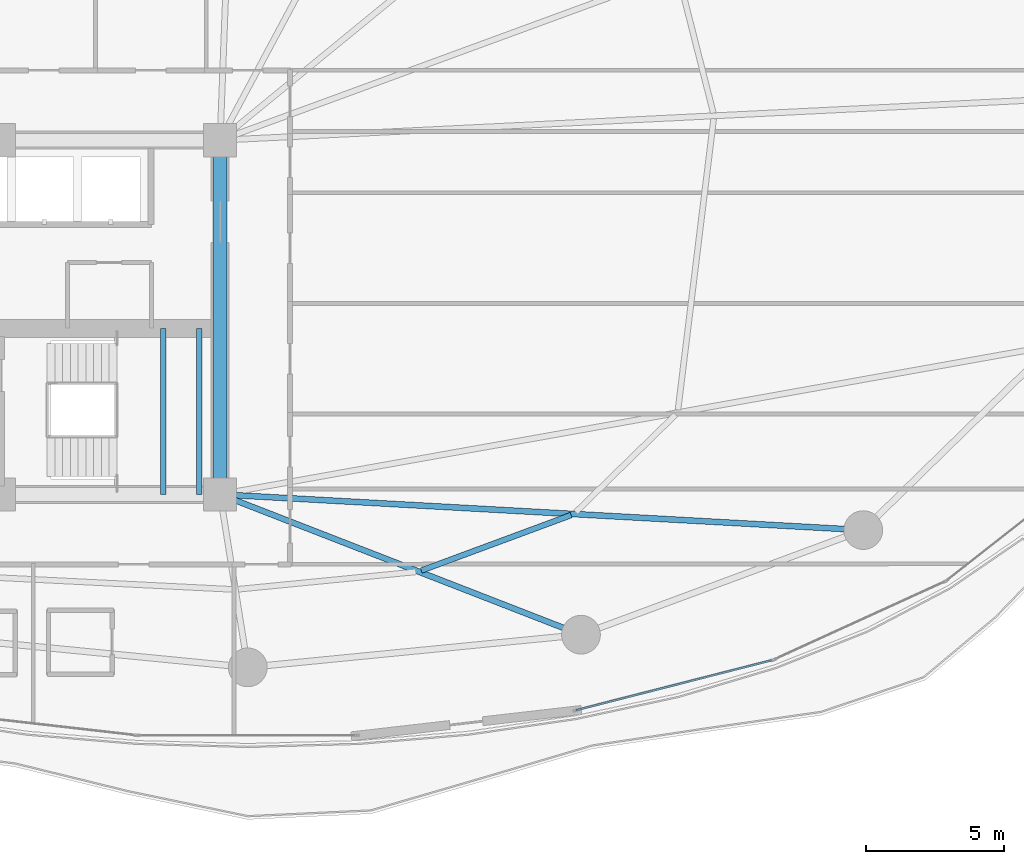
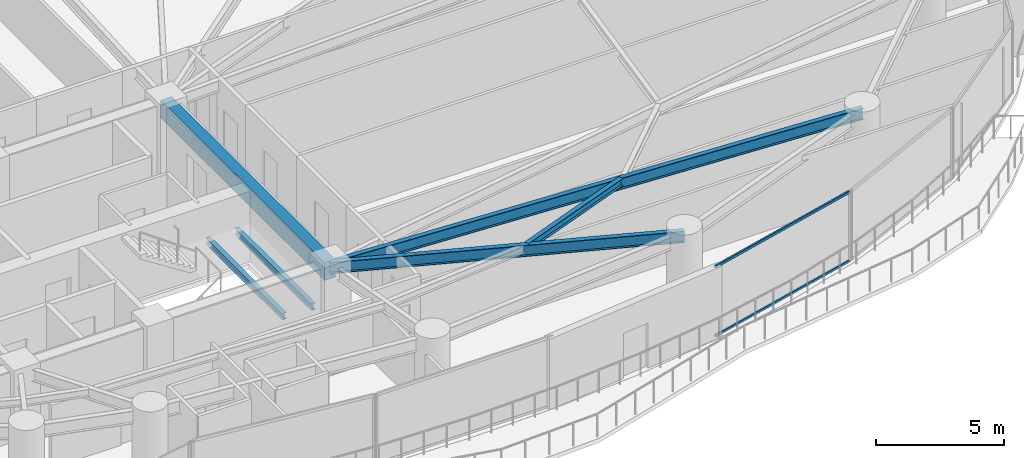
# One storey, part 12 of 32: 6 beams, 2 members, 1 element without a shape of its own.
"""IFC4 building model written with IfcOpenShell, lengths in metres."""

from ifc_helpers import new_model, si_unit, direction, frame, origin, origin_2d, place, context, subcontext, project, spatial, rectangle, hollow_rectangle, i_section, extrude, material, layer, layer_set, material_profile, profile_set, type_object, element, aggregate, save


model = new_model("IFC4")

# Units and contexts
model_context = context("Model", 3, precision=1e-05, world=origin(), true_north=direction((0.0, 1.0)))
body_context = subcontext(model_context, "Body", "Model", "MODEL_VIEW")
ifc_project = project(units=[si_unit("LENGTHUNIT", "METRE"), si_unit("AREAUNIT", "SQUARE_METRE"), si_unit("VOLUMEUNIT", "CUBIC_METRE"), si_unit("PLANEANGLEUNIT", "RADIAN"), si_unit("MASSUNIT", "GRAM", prefix="KILO")], contexts=[model_context])

# Site, building, storey
site_placement = place(None, origin())
site = spatial("IfcSite", under=ifc_project, at=site_placement, CompositionType="ELEMENT")
building_placement = place(site_placement, origin())
building = spatial("IfcBuilding", under=site, at=building_placement, Name="Kazevale Care Tower and Concert Hall", CompositionType="ELEMENT")
storey_placement = place(building_placement, frame((0.0, 0.0, 34.800048828125)))
storey = spatial("IfcBuildingStorey", under=building, at=storey_placement, Name="L08", CompositionType="ELEMENT", Elevation=34.800048828125)

# Curtain wall, members
ifc_material_1 = material(Name="Aluminium 6063-T6 and Low-E Glass", Category="aluminium")
ifc_layer = layer(ifc_material_1, 0.179931640625)
ifc_layer_set = layer_set([ifc_layer], Name="Aluminium 6063-T6 and Low-E Glass")
curtain_wall_type = type_object("IfcCurtainWallType", Name="Sheltered Concave Balcony Curtain Wall CW-5", PredefinedType="NOTDEFINED", material=ifc_layer_set)
curtain_wall_placement = place(storey_placement, origin())
curtain_wall = element("IfcCurtainWall", 1, at=curtain_wall_placement, inside=storey, type_object=curtain_wall_type, Name="cw:L08:f04", PredefinedType="NOTDEFINED")
ifc_material_2 = material(Name="Aluminium 6063-T6", Category="aluminium")
ifc_material_profile_1 = material_profile(ifc_material_2, hollow_rectangle(XDim=0.074951171875, YDim=0.1201171875, WallThickness=0.00390625, at=origin_2d()), Name="ALU75x120x4")
ifc_profile_set_1 = profile_set([ifc_material_profile_1], Name="Aluminium 6063-T6")
member_type = type_object("IfcMemberType", Name="CW-5 Transom ALU75x120x4", PredefinedType="USERDEFINED", material=ifc_profile_set_1)
member_1_placement = place(storey_placement, frame((63.915283203125, 17.599365234375, 0.037353515625), z_axis=(-0.968960816419, -0.24721435283, 0.0), x_axis=(0.24721435283, -0.968960816419, 0.0)))
member_1 = element("IfcMember", 2, at=member_1_placement, type_object=member_type, Name="CW-5 transom 1.1", ObjectType="TRANSOM", PredefinedType="USERDEFINED", context=body_context, shape_type="SweptSolid", body=[
    extrude(hollow_rectangle(XDim=0.074951171875, YDim=0.1201171875, WallThickness=0.00390625, at=origin_2d()), origin(), (0.0, 0.0, 1.0), 7.2763671875),
])
member_2_placement = place(storey_placement, frame((63.915283203125, 17.599365234375, 3.322509765625), z_axis=(-0.968960816419, -0.24721435283, 0.0), x_axis=(0.24721435283, -0.968960816419, 0.0)))
member_2 = element("IfcMember", 3, at=member_2_placement, type_object=member_type, Name="CW-5 transom 1.2", ObjectType="TRANSOM", PredefinedType="USERDEFINED", context=body_context, shape_type="SweptSolid", body=[
    extrude(hollow_rectangle(XDim=0.074951171875, YDim=0.1201171875, WallThickness=0.00390625, at=origin_2d()), origin(), (0.0, 0.0, 1.0), 7.2763671875),
])
aggregate(curtain_wall, [member_1, member_2])

# Beams
ifc_material_3 = material(Name="Concrete C60", Category="concrete")
ifc_material_profile_2 = material_profile(ifc_material_3, rectangle(XDim=0.5, YDim=0.85009765625, at=origin_2d()), Name="RC-B500x850")
ifc_profile_set_2 = profile_set([ifc_material_profile_2], Name="Concrete C60")
beam_type_1 = type_object("IfcBeamType", Name="Core Coupling Beam RC500x850", PredefinedType="LINTEL", material=ifc_profile_set_2)
beam_1_placement = place(storey_placement, frame((44.0, 23.60009765625, 2.93505859375), z_axis=(0.0, 1.0, 0.0), x_axis=(-1.0, 0.0, 0.0)))
element("IfcBeam", 4, at=beam_1_placement, inside=storey, type_object=beam_type_1, Name="beam:L08:coretie:4", PredefinedType="LINTEL", context=body_context, shape_type="SweptSolid", body=[
    extrude(rectangle(XDim=0.5, YDim=0.85009765625, at=origin_2d()), origin(), (0.0, 0.0, 1.0), 12.7998046875),
])
ifc_material_4 = material(Name="Steel ASTM A572 Gr 50", Category="steel")
ifc_material_profile_3 = material_profile(ifc_material_4, i_section(OverallWidth=0.2119140625, OverallDepth=0.5439453125, WebThickness=0.01318359375, FlangeThickness=0.021240234375, at=origin_2d()), Name="W530x123")
ifc_profile_set_3 = profile_set([ifc_material_profile_3], Name="Steel ASTM A572 Gr 50")
beam_type_2 = type_object("IfcBeamType", Name="Radial Floor Girder W530x123", PredefinedType="BEAM", material=ifc_profile_set_3)
beam_2_placement = place(storey_placement, frame((44.0, 23.60009765625, 3.087890625), z_axis=(0.932030212407, -0.362380577792, 0.0), x_axis=(0.362380577792, 0.932030212407, 0.0)))
element("IfcBeam", 5, at=beam_2_placement, inside=storey, type_object=beam_type_2, Name="beam:L08:rad:14", PredefinedType="BEAM", context=body_context, shape_type="SweptSolid", body=[
    extrude(i_section(OverallWidth=0.2119140625, OverallDepth=0.5439453125, WebThickness=0.01318359375, FlangeThickness=0.021240234375, at=origin_2d()), origin(), (0.0, 0.0, 1.0), 13.990966796875),
])
beam_3_placement = place(storey_placement, frame((44.0, 23.60009765625, 3.087890625), z_axis=(0.998462901796, -0.055424125948, 0.0), x_axis=(0.055424125948, 0.998462901796, 0.0)))
element("IfcBeam", 6, at=beam_3_placement, inside=storey, type_object=beam_type_2, Name="beam:L08:rad:15", PredefinedType="BEAM", context=body_context, shape_type="SweptSolid", body=[
    extrude(i_section(OverallWidth=0.2119140625, OverallDepth=0.5439453125, WebThickness=0.01318359375, FlangeThickness=0.021240234375, at=origin_2d()), origin(), (0.0, 0.0, 1.0), 23.27587890625),
])
ifc_material_profile_4 = material_profile(ifc_material_4, i_section(OverallWidth=0.205078125, OverallDepth=0.35400390625, WebThickness=0.009521484375, FlangeThickness=0.016845703125, at=origin_2d()), Name="W360x79")
ifc_profile_set_4 = profile_set([ifc_material_profile_4], Name="Steel ASTM A572 Gr 50")
beam_type_3 = type_object("IfcBeamType", Name="Secondary Floor Joist W360x79", PredefinedType="JOIST", material=ifc_profile_set_4)
beam_4_placement = place(storey_placement, frame((51.27001953125, 20.847900390625, 3.182861328125), z_axis=(0.937698254396, 0.347450692477, 0.0), x_axis=(-0.347450692477, 0.937698254396, 0.0)))
element("IfcBeam", 7, at=beam_4_placement, inside=storey, type_object=beam_type_3, Name="beam:L08:joist:14", PredefinedType="JOIST", context=body_context, shape_type="SweptSolid", body=[
    extrude(i_section(OverallWidth=0.205078125, OverallDepth=0.35400390625, WebThickness=0.009521484375, FlangeThickness=0.016845703125, at=origin_2d()), origin(), (0.0, 0.0, 1.0), 5.773681640625),
])
ifc_material_profile_5 = material_profile(ifc_material_4, i_section(OverallWidth=0.202880859375, OverallDepth=0.302978515625, WebThickness=0.007568359375, FlangeThickness=0.01318359375, at=origin_2d()), Name="W310x60")
ifc_profile_set_5 = profile_set([ifc_material_profile_5], Name="Steel ASTM A572 Gr 50")
beam_type_4 = type_object("IfcBeamType", Name="Stair & Balcony Trimmer W310x60", PredefinedType="BEAM", material=ifc_profile_set_5)
for number, where, z_axis, x_axis, name in (
    (8, (41.949951171875, 23.60009765625, 1.448486328125), (0.0, 1.0, 0.0), (-1.0, 0.0, 0.0), "beam:L08:sttrim:ST2"),
    (9, (43.25, 23.60009765625, 1.448486328125), (0.0, 1.0, 0.0), (-1.0, 0.0, 0.0), "beam:L08:sttrim:ST2b"),
):
    element("IfcBeam", number, at=place(storey_placement, frame(where, z_axis=z_axis, x_axis=x_axis)), inside=storey, type_object=beam_type_4, Name=name, PredefinedType="BEAM", context=body_context, shape_type="SweptSolid", body=[
        extrude(i_section(OverallWidth=0.202880859375, OverallDepth=0.302978515625, WebThickness=0.007568359375, FlangeThickness=0.01318359375, at=origin_2d()), origin(), (0.0, 0.0, 1.0), 6.0),
    ])

save(model, "model.ifc")
